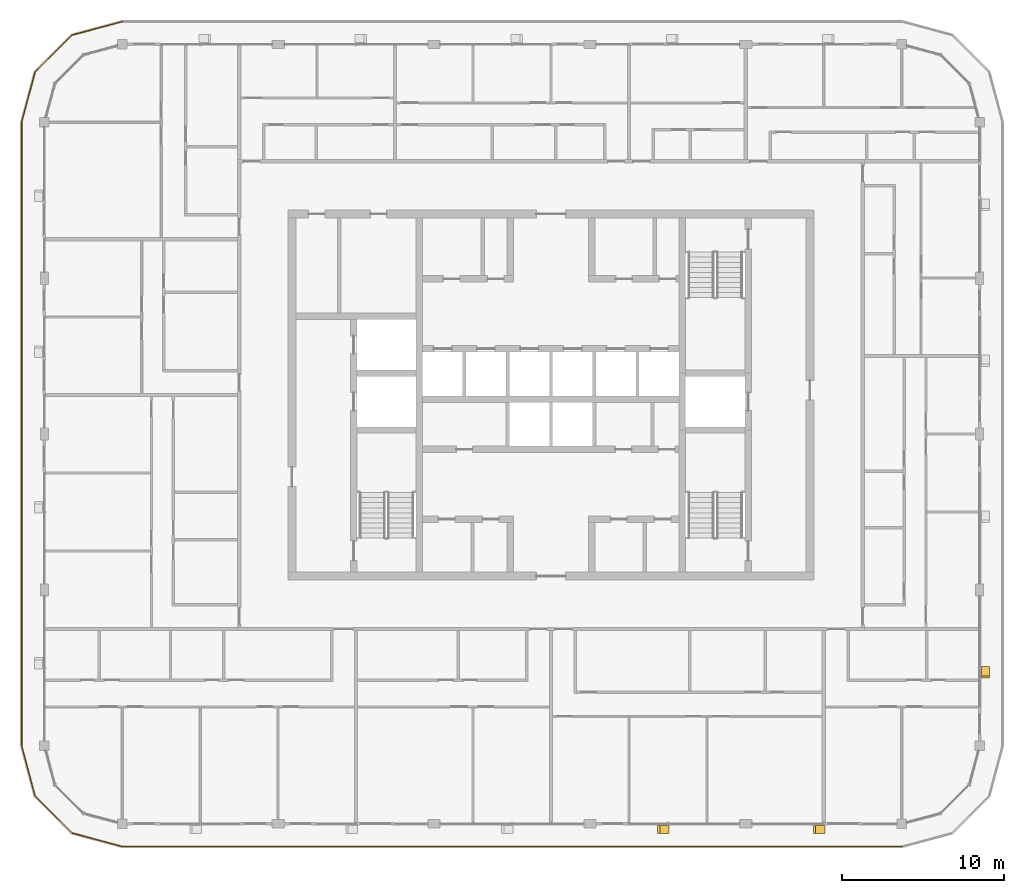
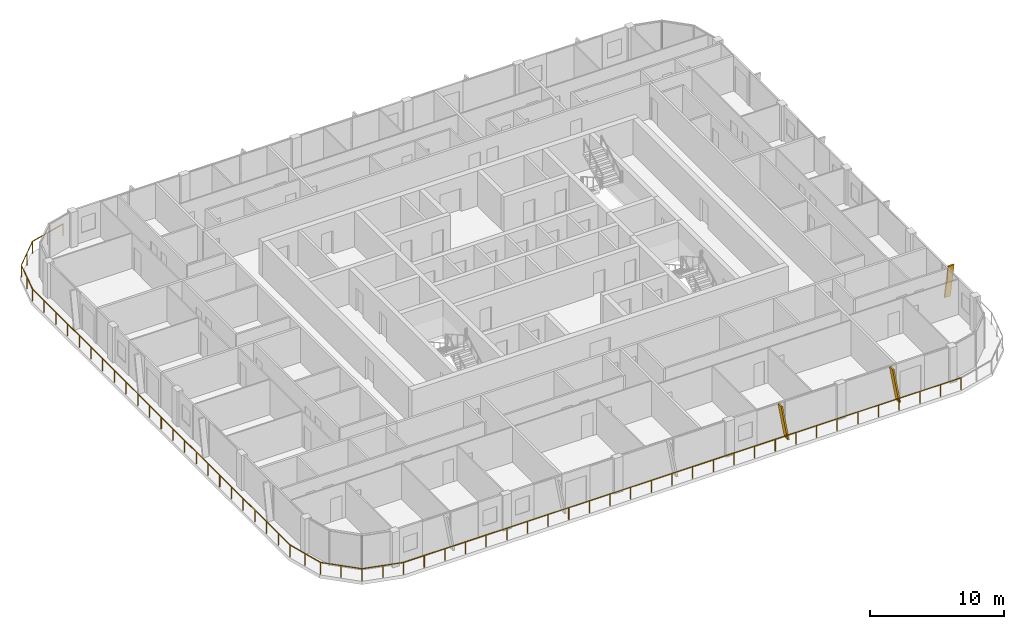
# One storey, part 18 of 21: 3 shading devices, 1 railing.
"""IFC4 building model written with IfcOpenShell, lengths in metres."""

from ifc_helpers import new_model, si_unit, direction, frame, origin, origin_2d, place, context, subcontext, project, spatial, polyline, circle, outline, extrude, material, type_object, element, save


model = new_model("IFC4")

# Units and contexts
model_context = context("Model", 3, precision=1e-05, world=origin(), true_north=direction((0.0, 1.0)))
body_context = subcontext(model_context, "Body", "Model", "MODEL_VIEW")
ifc_project = project(units=[si_unit("LENGTHUNIT", "METRE"), si_unit("AREAUNIT", "SQUARE_METRE"), si_unit("VOLUMEUNIT", "CUBIC_METRE"), si_unit("PLANEANGLEUNIT", "RADIAN"), si_unit("MASSUNIT", "GRAM", prefix="KILO")], contexts=[model_context])

# Site, building, storey
site_placement = place(None, origin())
site = spatial("IfcSite", under=ifc_project, at=site_placement, CompositionType="ELEMENT")
building_placement = place(site_placement, origin())
building = spatial("IfcBuilding", under=site, at=building_placement, Name="Madar Terraces", CompositionType="ELEMENT")
storey_placement = place(building_placement, frame((0.0, 0.0, 272.10009765625)))
storey = spatial("IfcBuildingStorey", under=building, at=storey_placement, Name="L71", CompositionType="ELEMENT", Elevation=272.10009765625)

# Railing
ifc_material_1 = material(Name="Glass, safety glazing, with stainless steel posts", Category="steel")
railing_type = type_object("IfcRailingType", Name="Balcony glass guard 1100", PredefinedType="GUARDRAIL", material=ifc_material_1)
railing_placement = place(storey_placement, frame((4.800048828125, 49.39990234375, 0.0)))
element("IfcRailing", 1, at=railing_placement, inside=storey, type_object=railing_type, Name="Balcony guard", PredefinedType="GUARDRAIL", context=body_context, shape_type="SweptSolid", body=[
    extrude(circle(Radius=0.02392578125, at=origin_2d()), frame((0.0, 0.0, 1.076171875), z_axis=(-0.9659337912, -0.258789317819, 0.0), x_axis=(0.258789317819, -0.9659337912, 0.0)), (0.0, 0.0, 1.0), 3.20947265625),
    extrude(circle(Radius=0.02392578125, at=origin_2d()), frame((-3.10009765625, -0.83056640625, 1.076171875), z_axis=(-0.707106781187, -0.707106781187, 0.0), x_axis=(0.707106781187, -0.707106781187, 0.0)), (0.0, 0.0, 1.0), 3.209228515625),
    extrude(circle(Radius=0.02392578125, at=origin_2d()), frame((-5.369384765625, -3.099853515625, 1.076171875), z_axis=(-0.258789317819, -0.9659337912, 0.0), x_axis=(0.9659337912, -0.258789317819, 0.0)), (0.0, 0.0, 1.0), 3.20947265625),
    extrude(circle(Radius=0.02392578125, at=origin_2d()), frame((-6.199951171875, -6.199951171875, 1.076171875), z_axis=(0.0, -1.0, 0.0), x_axis=(1.0, 0.0, 0.0)), (0.0, 0.0, 1.0), 38.39990234375),
    extrude(circle(Radius=0.02392578125, at=origin_2d()), frame((-6.199951171875, -44.599853515625, 1.076171875), z_axis=(0.258789317819, -0.9659337912, 0.0), x_axis=(0.9659337912, 0.258789317819, 0.0)), (0.0, 0.0, 1.0), 3.20947265625),
    extrude(circle(Radius=0.02392578125, at=origin_2d()), frame((-5.369384765625, -47.699951171875, 1.076171875), z_axis=(0.707106781187, -0.707106781187, 0.0), x_axis=(0.707106781187, 0.707106781187, 0.0)), (0.0, 0.0, 1.0), 3.209228515625),
    extrude(circle(Radius=0.02392578125, at=origin_2d()), frame((-3.10009765625, -49.96923828125, 1.076171875), z_axis=(0.9659337912, -0.258789317819, 0.0), x_axis=(0.258789317819, 0.9659337912, 0.0)), (0.0, 0.0, 1.0), 3.20947265625),
    extrude(circle(Radius=0.02392578125, at=origin_2d()), frame((0.0, -50.7998046875, 1.076171875), z_axis=(1.0, 0.0, 0.0), x_axis=(0.0, 1.0, 0.0)), (0.0, 0.0, 1.0), 48.0),
    extrude(circle(Radius=0.02099609375, at=origin_2d()), origin(), (0.0, 0.0, 1.0), 1.052001953125),
    extrude(circle(Radius=0.02099609375, at=origin_2d()), frame((-1.550048828125, -0.415283203125, 0.0)), (0.0, 0.0, 1.0), 1.052001953125),
    extrude(circle(Radius=0.02099609375, at=origin_2d()), frame((-3.10009765625, -0.83056640625, 0.0)), (0.0, 0.0, 1.0), 1.052001953125),
    extrude(circle(Radius=0.02099609375, at=origin_2d()), frame((-4.23486328125, -1.96533203125, 0.0)), (0.0, 0.0, 1.0), 1.052001953125),
    extrude(circle(Radius=0.02099609375, at=origin_2d()), frame((-5.369384765625, -3.099853515625, 0.0)), (0.0, 0.0, 1.0), 1.052001953125),
    extrude(circle(Radius=0.02099609375, at=origin_2d()), frame((-5.78466796875, -4.64990234375, 0.0)), (0.0, 0.0, 1.0), 1.052001953125),
    extrude(circle(Radius=0.02099609375, at=origin_2d()), frame((-6.199951171875, -6.199951171875, 0.0)), (0.0, 0.0, 1.0), 1.052001953125),
    extrude(circle(Radius=0.02099609375, at=origin_2d()), frame((-6.199951171875, -7.9453125, 0.0)), (0.0, 0.0, 1.0), 1.052001953125),
    extrude(circle(Radius=0.02099609375, at=origin_2d()), frame((-6.199951171875, -9.69091796875, 0.0)), (0.0, 0.0, 1.0), 1.052001953125),
    extrude(circle(Radius=0.02099609375, at=origin_2d()), frame((-6.199951171875, -11.436279296875, 0.0)), (0.0, 0.0, 1.0), 1.052001953125),
    extrude(circle(Radius=0.02099609375, at=origin_2d()), frame((-6.199951171875, -13.181640625, 0.0)), (0.0, 0.0, 1.0), 1.052001953125),
    extrude(circle(Radius=0.02099609375, at=origin_2d()), frame((-6.199951171875, -14.92724609375, 0.0)), (0.0, 0.0, 1.0), 1.052001953125),
    extrude(circle(Radius=0.02099609375, at=origin_2d()), frame((-6.199951171875, -16.672607421875, 0.0)), (0.0, 0.0, 1.0), 1.052001953125),
    extrude(circle(Radius=0.02099609375, at=origin_2d()), frame((-6.199951171875, -18.418212890625, 0.0)), (0.0, 0.0, 1.0), 1.052001953125),
    extrude(circle(Radius=0.02099609375, at=origin_2d()), frame((-6.199951171875, -20.16357421875, 0.0)), (0.0, 0.0, 1.0), 1.052001953125),
    extrude(circle(Radius=0.02099609375, at=origin_2d()), frame((-6.199951171875, -21.908935546875, 0.0)), (0.0, 0.0, 1.0), 1.052001953125),
    extrude(circle(Radius=0.02099609375, at=origin_2d()), frame((-6.199951171875, -23.654541015625, 0.0)), (0.0, 0.0, 1.0), 1.052001953125),
    extrude(circle(Radius=0.02099609375, at=origin_2d()), frame((-6.199951171875, -25.39990234375, 0.0)), (0.0, 0.0, 1.0), 1.052001953125),
    extrude(circle(Radius=0.02099609375, at=origin_2d()), frame((-6.199951171875, -27.145263671875, 0.0)), (0.0, 0.0, 1.0), 1.052001953125),
    extrude(circle(Radius=0.02099609375, at=origin_2d()), frame((-6.199951171875, -28.890869140625, 0.0)), (0.0, 0.0, 1.0), 1.052001953125),
    extrude(circle(Radius=0.02099609375, at=origin_2d()), frame((-6.199951171875, -30.63623046875, 0.0)), (0.0, 0.0, 1.0), 1.052001953125),
    extrude(circle(Radius=0.02099609375, at=origin_2d()), frame((-6.199951171875, -32.381591796875, 0.0)), (0.0, 0.0, 1.0), 1.052001953125),
    extrude(circle(Radius=0.02099609375, at=origin_2d()), frame((-6.199951171875, -34.127197265625, 0.0)), (0.0, 0.0, 1.0), 1.052001953125),
    extrude(circle(Radius=0.02099609375, at=origin_2d()), frame((-6.199951171875, -35.87255859375, 0.0)), (0.0, 0.0, 1.0), 1.052001953125),
    extrude(circle(Radius=0.02099609375, at=origin_2d()), frame((-6.199951171875, -37.6181640625, 0.0)), (0.0, 0.0, 1.0), 1.052001953125),
    extrude(circle(Radius=0.02099609375, at=origin_2d()), frame((-6.199951171875, -39.363525390625, 0.0)), (0.0, 0.0, 1.0), 1.052001953125),
    extrude(circle(Radius=0.02099609375, at=origin_2d()), frame((-6.199951171875, -41.10888671875, 0.0)), (0.0, 0.0, 1.0), 1.052001953125),
    extrude(circle(Radius=0.02099609375, at=origin_2d()), frame((-6.199951171875, -42.8544921875, 0.0)), (0.0, 0.0, 1.0), 1.052001953125),
    extrude(circle(Radius=0.02099609375, at=origin_2d()), frame((-6.199951171875, -44.599853515625, 0.0)), (0.0, 0.0, 1.0), 1.052001953125),
    extrude(circle(Radius=0.02099609375, at=origin_2d()), frame((-5.78466796875, -46.14990234375, 0.0)), (0.0, 0.0, 1.0), 1.052001953125),
    extrude(circle(Radius=0.02099609375, at=origin_2d()), frame((-5.369384765625, -47.699951171875, 0.0)), (0.0, 0.0, 1.0), 1.052001953125),
    extrude(circle(Radius=0.02099609375, at=origin_2d()), frame((-4.23486328125, -48.83447265625, 0.0)), (0.0, 0.0, 1.0), 1.052001953125),
    extrude(circle(Radius=0.02099609375, at=origin_2d()), frame((-3.10009765625, -49.96923828125, 0.0)), (0.0, 0.0, 1.0), 1.052001953125),
    extrude(circle(Radius=0.02099609375, at=origin_2d()), frame((-1.550048828125, -50.384521484375, 0.0)), (0.0, 0.0, 1.0), 1.052001953125),
    extrude(circle(Radius=0.02099609375, at=origin_2d()), frame((0.0, -50.7998046875, 0.0)), (0.0, 0.0, 1.0), 1.052001953125),
    extrude(circle(Radius=0.02099609375, at=origin_2d()), frame((1.77783203125, -50.7998046875, 0.0)), (0.0, 0.0, 1.0), 1.052001953125),
    extrude(circle(Radius=0.02099609375, at=origin_2d()), frame((3.5556640625, -50.7998046875, 0.0)), (0.0, 0.0, 1.0), 1.052001953125),
    extrude(circle(Radius=0.02099609375, at=origin_2d()), frame((5.333251953125, -50.7998046875, 0.0)), (0.0, 0.0, 1.0), 1.052001953125),
    extrude(circle(Radius=0.02099609375, at=origin_2d()), frame((7.111083984375, -50.7998046875, 0.0)), (0.0, 0.0, 1.0), 1.052001953125),
    extrude(circle(Radius=0.02099609375, at=origin_2d()), frame((8.888916015625, -50.7998046875, 0.0)), (0.0, 0.0, 1.0), 1.052001953125),
    extrude(circle(Radius=0.02099609375, at=origin_2d()), frame((10.666748046875, -50.7998046875, 0.0)), (0.0, 0.0, 1.0), 1.052001953125),
    extrude(circle(Radius=0.02099609375, at=origin_2d()), frame((12.4443359375, -50.7998046875, 0.0)), (0.0, 0.0, 1.0), 1.052001953125),
    extrude(circle(Radius=0.02099609375, at=origin_2d()), frame((14.22216796875, -50.7998046875, 0.0)), (0.0, 0.0, 1.0), 1.052001953125),
    extrude(circle(Radius=0.02099609375, at=origin_2d()), frame((16.0, -50.7998046875, 0.0)), (0.0, 0.0, 1.0), 1.052001953125),
    extrude(circle(Radius=0.02099609375, at=origin_2d()), frame((17.77783203125, -50.7998046875, 0.0)), (0.0, 0.0, 1.0), 1.052001953125),
    extrude(circle(Radius=0.02099609375, at=origin_2d()), frame((19.5556640625, -50.7998046875, 0.0)), (0.0, 0.0, 1.0), 1.052001953125),
    extrude(circle(Radius=0.02099609375, at=origin_2d()), frame((21.333251953125, -50.7998046875, 0.0)), (0.0, 0.0, 1.0), 1.052001953125),
    extrude(circle(Radius=0.02099609375, at=origin_2d()), frame((23.111083984375, -50.7998046875, 0.0)), (0.0, 0.0, 1.0), 1.052001953125),
    extrude(circle(Radius=0.02099609375, at=origin_2d()), frame((24.888916015625, -50.7998046875, 0.0)), (0.0, 0.0, 1.0), 1.052001953125),
    extrude(circle(Radius=0.02099609375, at=origin_2d()), frame((26.666748046875, -50.7998046875, 0.0)), (0.0, 0.0, 1.0), 1.052001953125),
    extrude(circle(Radius=0.02099609375, at=origin_2d()), frame((28.4443359375, -50.7998046875, 0.0)), (0.0, 0.0, 1.0), 1.052001953125),
    extrude(circle(Radius=0.02099609375, at=origin_2d()), frame((30.22216796875, -50.7998046875, 0.0)), (0.0, 0.0, 1.0), 1.052001953125),
    extrude(circle(Radius=0.02099609375, at=origin_2d()), frame((32.0, -50.7998046875, 0.0)), (0.0, 0.0, 1.0), 1.052001953125),
    extrude(circle(Radius=0.02099609375, at=origin_2d()), frame((33.77783203125, -50.7998046875, 0.0)), (0.0, 0.0, 1.0), 1.052001953125),
    extrude(circle(Radius=0.02099609375, at=origin_2d()), frame((35.5556640625, -50.7998046875, 0.0)), (0.0, 0.0, 1.0), 1.052001953125),
    extrude(circle(Radius=0.02099609375, at=origin_2d()), frame((37.333251953125, -50.7998046875, 0.0)), (0.0, 0.0, 1.0), 1.052001953125),
    extrude(circle(Radius=0.02099609375, at=origin_2d()), frame((39.111083984375, -50.7998046875, 0.0)), (0.0, 0.0, 1.0), 1.052001953125),
    extrude(circle(Radius=0.02099609375, at=origin_2d()), frame((40.888916015625, -50.7998046875, 0.0)), (0.0, 0.0, 1.0), 1.052001953125),
    extrude(circle(Radius=0.02099609375, at=origin_2d()), frame((42.666748046875, -50.7998046875, 0.0)), (0.0, 0.0, 1.0), 1.052001953125),
    extrude(circle(Radius=0.02099609375, at=origin_2d()), frame((44.4443359375, -50.7998046875, 0.0)), (0.0, 0.0, 1.0), 1.052001953125),
    extrude(circle(Radius=0.02099609375, at=origin_2d()), frame((46.22216796875, -50.7998046875, 0.0)), (0.0, 0.0, 1.0), 1.052001953125),
    extrude(circle(Radius=0.02099609375, at=origin_2d()), frame((48.0, -50.7998046875, 0.0)), (0.0, 0.0, 1.0), 1.052001953125),
])

# Shading devices
ifc_material_2 = material(Name="Aluminium, black anodised", Category="aluminium")
shading_device_type = type_object("IfcShadingDeviceType", Name="Facade fin blade 140 x 500", PredefinedType="USERDEFINED", material=ifc_material_2)
shading_device_1_placement = place(storey_placement, frame((38.330078125, -0.35009765625, 0.0), z_axis=(0.0, 0.0, 1.0), x_axis=(1.0, 0.0, 0.0)))
element("IfcShadingDevice", 2, at=shading_device_1_placement, inside=storey, type_object=shading_device_type, Name="FIN L71 S4", ObjectType="FIN", PredefinedType="USERDEFINED", context=body_context, shape_type="SweptSolid", body=[
    extrude(outline(polyline([(0.0, 0.0), (0.139892578125, 0.0), (-0.42431640625, 3.199951171875), (-0.564208984375, 3.199951171875), (0.0, 0.0)])), frame((0.0, 0.25, 0.0), z_axis=(0.0, -1.0, 0.0), x_axis=(1.0, 0.0, 0.0)), (0.0, 0.0, 1.0), 0.5),
])
shading_device_2_placement = place(storey_placement, frame((47.929931640625, -0.35009765625, 0.0), z_axis=(0.0, 0.0, 1.0), x_axis=(1.0, 0.0, 0.0)))
element("IfcShadingDevice", 3, at=shading_device_2_placement, inside=storey, type_object=shading_device_type, Name="FIN L71 S5", ObjectType="FIN", PredefinedType="USERDEFINED", context=body_context, shape_type="SweptSolid", body=[
    extrude(outline(polyline([(0.0, 0.0), (0.14013671875, 0.0), (-0.42431640625, 3.199951171875), (-0.564208984375, 3.199951171875), (0.0, 0.0)])), frame((0.0, 0.25, 0.0), z_axis=(0.0, -1.0, 0.0), x_axis=(1.0, 0.0, 0.0)), (0.0, 0.0, 1.0), 0.5),
])
shading_device_3_placement = place(storey_placement, frame((57.949951171875, 9.530029296875, 0.0), z_axis=(0.0, 0.0, 1.0), x_axis=(0.0, 1.0, 0.0)))
element("IfcShadingDevice", 4, at=shading_device_3_placement, inside=storey, type_object=shading_device_type, Name="FIN L71 E1", ObjectType="FIN", PredefinedType="USERDEFINED", context=body_context, shape_type="SweptSolid", body=[
    extrude(outline(polyline([(0.0, 0.0), (0.139892578125, 0.0), (-0.42431640625, 3.199951171875), (-0.564208984375, 3.199951171875), (0.0, 0.0)])), frame((0.0, 0.25, 0.0), z_axis=(0.0, -1.0, 0.0), x_axis=(1.0, 0.0, 0.0)), (0.0, 0.0, 1.0), 0.5),
])

save(model, "model.ifc")
